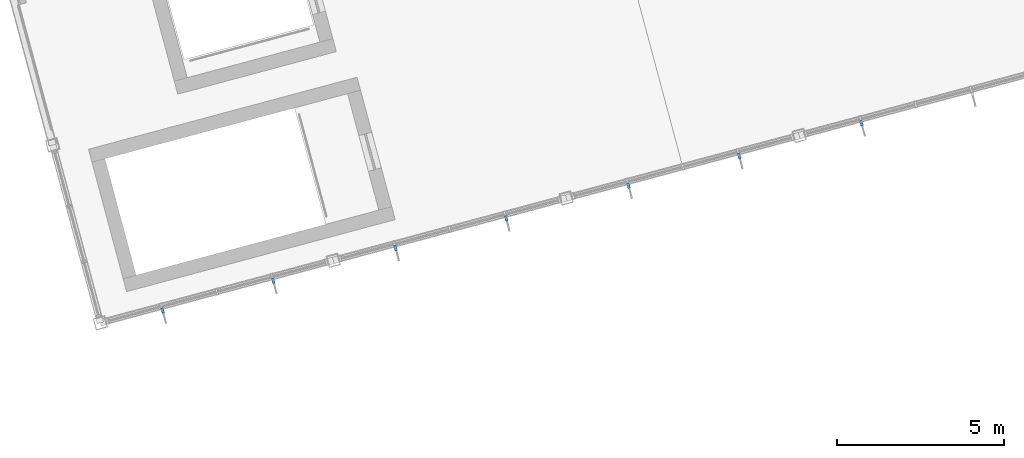
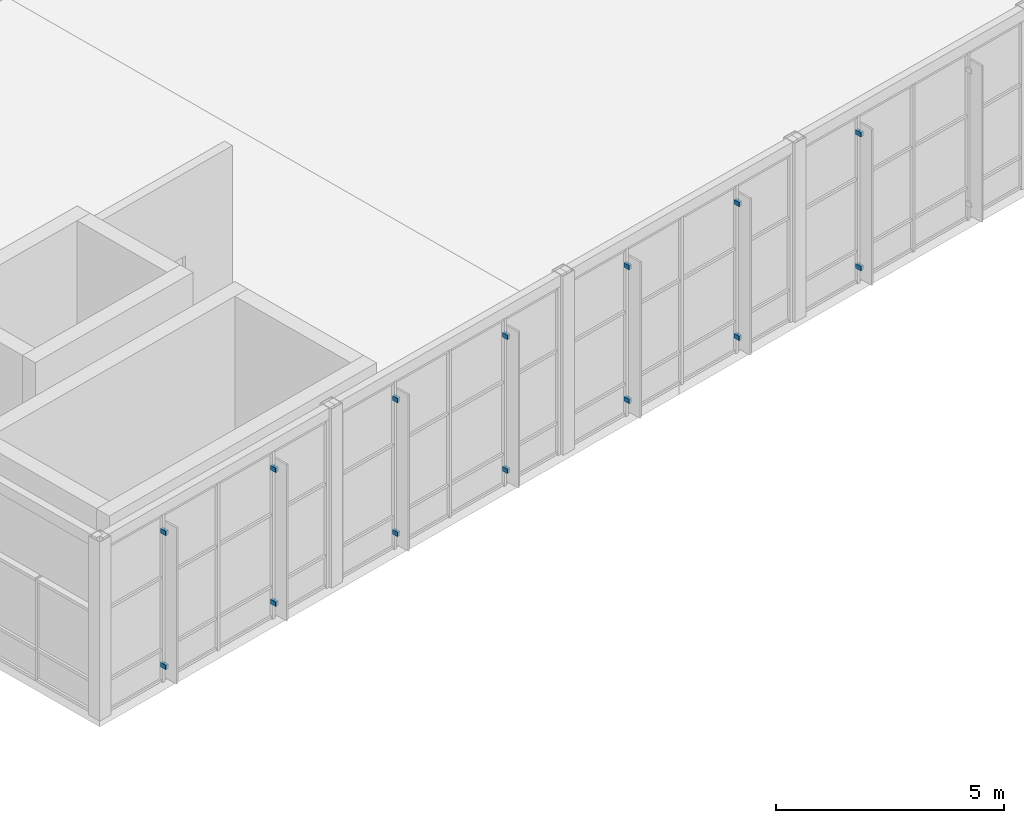
# One storey, part 88 of 99: 14 discrete accessories.
"""IFC4 building model written with IfcOpenShell, lengths in metres."""

from ifc_helpers import new_model, si_unit, direction, frame, origin, origin_2d, place, context, subcontext, project, spatial, rectangle, extrude, material, type_object, element, save


model = new_model("IFC4")

# Units and contexts
model_context = context("Model", 3, precision=1e-05, world=origin(), true_north=direction((0.0, 1.0)))
body_context = subcontext(model_context, "Body", "Model", "MODEL_VIEW")
ifc_project = project(units=[si_unit("LENGTHUNIT", "METRE"), si_unit("AREAUNIT", "SQUARE_METRE"), si_unit("VOLUMEUNIT", "CUBIC_METRE"), si_unit("PLANEANGLEUNIT", "RADIAN"), si_unit("MASSUNIT", "GRAM", prefix="KILO")], contexts=[model_context])

# Site, building, storey
site_placement = place(None, origin())
site = spatial("IfcSite", under=ifc_project, at=site_placement, CompositionType="ELEMENT")
building_placement = place(site_placement, origin())
building = spatial("IfcBuilding", under=site, at=building_placement, Name="Ventoquebrada Cableway Terminal", CompositionType="ELEMENT")
storey_placement = place(building_placement, frame((0.0, 0.0, 9.60009765625)))
storey = spatial("IfcBuildingStorey", under=building, at=storey_placement, Name="L02", CompositionType="ELEMENT", Elevation=9.60009765625)

# Discrete accessories
ifc_material = material(Name="Anodized thermally-broken aluminium", Category="aluminium")
discrete_accessory_type = type_object("IfcDiscreteAccessoryType", Name="BRK-01", PredefinedType="BRACKET", material=ifc_material)
for number, where, z_axis, x_axis, name in (
    (1, (53.8349609375, 70.156982421875, 0.389892578125), (0.0, 0.0, 1.0), (0.965939376699, 0.25876846899, 0.0), "Sunshade bracket FN-072"),
    (2, (53.8349609375, 70.156982421875, 3.979736328125), (0.0, 0.0, 1.0), (0.965939376699, 0.25876846899, 0.0), "Sunshade bracket FN-072"),
    (3, (57.137939453125, 71.04296875, 0.389892578125), (0.0, 0.0, 1.0), (0.965939376699, 0.25876846899, 0.0), "Sunshade bracket FN-073"),
    (4, (57.137939453125, 71.04296875, 3.979736328125), (0.0, 0.0, 1.0), (0.965939376699, 0.25876846899, 0.0), "Sunshade bracket FN-073"),
    (5, (60.7890625, 72.02099609375, 0.389892578125), (0.0, 0.0, 1.0), (0.965966469573, 0.258667314636, 0.0), "Sunshade bracket FN-074"),
    (6, (60.7890625, 72.02099609375, 3.979736328125), (0.0, 0.0, 1.0), (0.965966469573, 0.258667314636, 0.0), "Sunshade bracket FN-074"),
    (7, (64.092041015625, 72.906005859375, 0.389892578125), (0.0, 0.0, 1.0), (0.965966469573, 0.258667314636, 0.0), "Sunshade bracket FN-075"),
    (8, (64.092041015625, 72.906005859375, 3.979736328125), (0.0, 0.0, 1.0), (0.965966469573, 0.258667314636, 0.0), "Sunshade bracket FN-075"),
    (9, (67.743896484375, 73.885009765625, 0.389892578125), (0.0, 0.0, 1.0), (0.965939376699, 0.25876846899, 0.0), "Sunshade bracket FN-076"),
    (10, (67.743896484375, 73.885009765625, 3.979736328125), (0.0, 0.0, 1.0), (0.965939376699, 0.25876846899, 0.0), "Sunshade bracket FN-076"),
    (11, (71.047119140625, 74.77001953125, 0.389892578125), (0.0, 0.0, 1.0), (0.965939376699, 0.25876846899, 0.0), "Sunshade bracket FN-077"),
    (12, (71.047119140625, 74.77001953125, 3.979736328125), (0.0, 0.0, 1.0), (0.965939376699, 0.25876846899, 0.0), "Sunshade bracket FN-077"),
    (13, (74.698974609375, 75.748046875, 0.389892578125), (0.0, 0.0, 1.0), (0.965975498177, 0.258633595888, 0.0), "Sunshade bracket FN-078"),
    (14, (74.698974609375, 75.748046875, 3.979736328125), (0.0, 0.0, 1.0), (0.965975498177, 0.258633595888, 0.0), "Sunshade bracket FN-078"),
):
    element("IfcDiscreteAccessory", number, at=place(storey_placement, frame(where, z_axis=z_axis, x_axis=x_axis)), inside=storey, type_object=discrete_accessory_type, Name=name, PredefinedType="BRACKET", context=body_context, shape_type="SweptSolid", body=[
        extrude(rectangle(XDim=0.080078125, YDim=0.159912109375, at=origin_2d()), origin(), (0.0, 0.0, 1.0), 0.1201171875),
    ])

save(model, "model.ifc")
